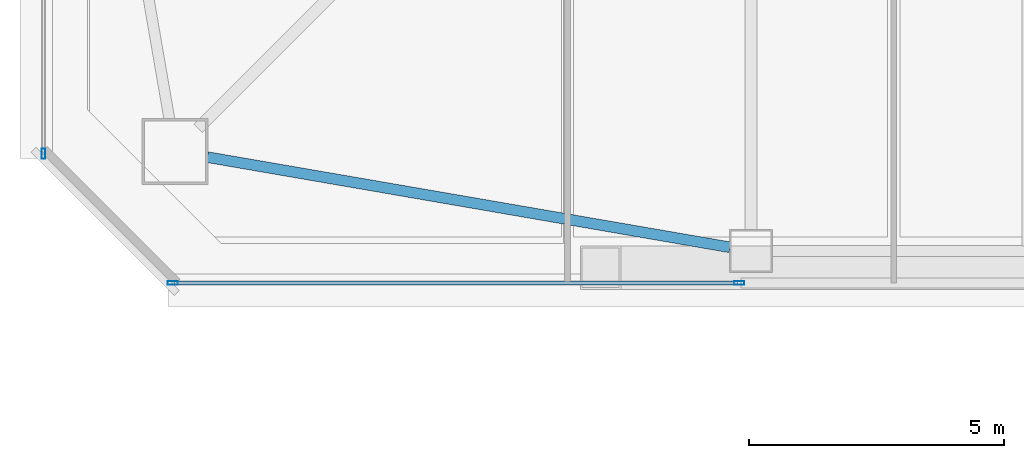
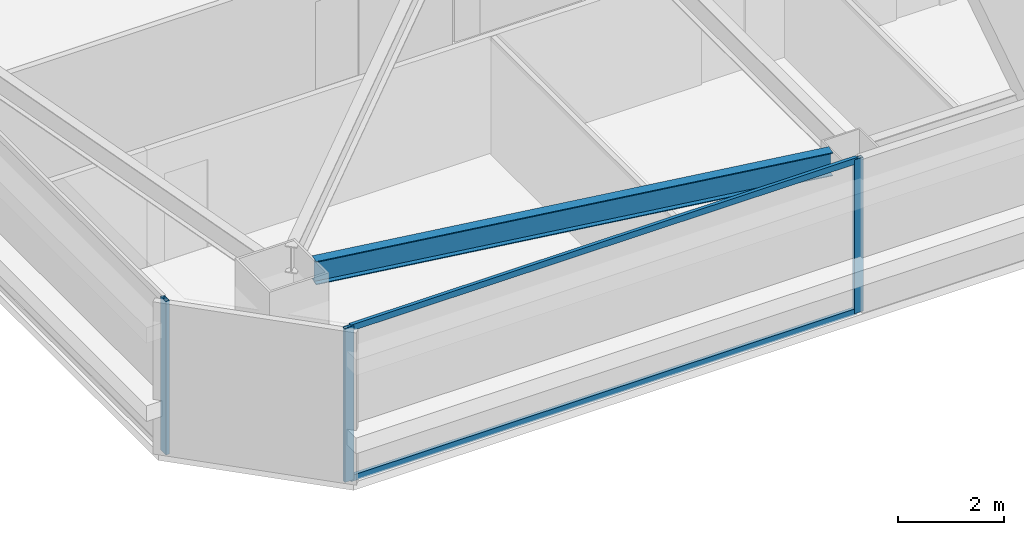
# One storey, part 3 of 50: 5 members, 1 beam, 2 elements without a shape of their own.
"""IFC4 building model written with IfcOpenShell, lengths in metres."""

from ifc_helpers import new_model, si_unit, direction, frame, origin, origin_2d, place, context, subcontext, project, spatial, hollow_rectangle, i_section, extrude, material, material_profile, profile_set, type_object, element, aggregate, save


model = new_model("IFC4")

# Units and contexts
model_context = context("Model", 3, precision=1e-05, world=origin(), true_north=direction((0.0, 1.0)))
body_context = subcontext(model_context, "Body", "Model", "MODEL_VIEW")
ifc_project = project(units=[si_unit("LENGTHUNIT", "METRE"), si_unit("AREAUNIT", "SQUARE_METRE"), si_unit("VOLUMEUNIT", "CUBIC_METRE"), si_unit("PLANEANGLEUNIT", "RADIAN"), si_unit("MASSUNIT", "GRAM", prefix="KILO")], contexts=[model_context])

# Site, building, storey
site_placement = place(None, origin())
site = spatial("IfcSite", under=ifc_project, at=site_placement, CompositionType="ELEMENT")
building_placement = place(site_placement, origin())
building = spatial("IfcBuilding", under=site, at=building_placement, Name="Tashvorn Skyway Center", CompositionType="ELEMENT")
storey_placement = place(building_placement, frame((0.0, 0.0, 114.39990234375)))
storey = spatial("IfcBuildingStorey", under=building, at=storey_placement, Name="L30", CompositionType="ELEMENT", Elevation=114.39990234375)

# Beam
ifc_material_1 = material(Name="Steel ASTM A992 Grade 50", Category="steel")
ifc_material_profile_1 = material_profile(ifc_material_1, i_section(OverallWidth=0.2109375, OverallDepth=0.5390625, WebThickness=0.01171875, FlangeThickness=0.018798828125, at=origin_2d()), Name="W21X73")
ifc_profile_set_1 = profile_set([ifc_material_profile_1], Name="Steel ASTM A992 Grade 50")
beam_type = type_object("IfcBeamType", Name="BM-SPANDREL-W21X73", PredefinedType="SPANDREL", material=ifc_profile_set_1)
beam_placement = place(storey_placement, frame((25.935546875, 15.1904296875, 3.1005859375), z_axis=(0.985432458462, -0.170067250846, 0.0), x_axis=(0.170067250846, 0.985432458462, 0.0)))
element("IfcBeam", 1, at=beam_placement, inside=storey, type_object=beam_type, Name="Tower 1 L30 Spandrel Beam 01", PredefinedType="SPANDREL", context=body_context, shape_type="SweptSolid", body=[
    extrude(i_section(OverallWidth=0.2109375, OverallDepth=0.5390625, WebThickness=0.01171875, FlangeThickness=0.018798828125, at=origin_2d()), origin(), (0.0, 0.0, 1.0), 10.402099609375),
])

# Curtain wall, members
ifc_material_2 = material(Name="Thermally broken bronze-anodized aluminium 6063-T6", Category="aluminium")
curtain_wall_type = type_object("IfcCurtainWallType", Name="CW-CW-Z3", PredefinedType="NOTDEFINED", material=ifc_material_2)
curtain_wall_1_placement = place(storey_placement, origin())
curtain_wall_1 = element("IfcCurtainWall", 2, at=curtain_wall_1_placement, inside=storey, type_object=curtain_wall_type, Name="Tower 1 L30 South Unitised Curtain Wall Glazing Group 2", PredefinedType="NOTDEFINED")
ifc_material_profile_2 = material_profile(ifc_material_2, hollow_rectangle(XDim=0.074951171875, YDim=0.199951171875, WallThickness=0.00439453125, at=origin_2d()), Name="ALU-MULL-75x200")
ifc_profile_set_2 = profile_set([ifc_material_profile_2], Name="Thermally broken bronze-anodized aluminium 6063-T6")
member_type_1 = type_object("IfcMemberType", Name="CWM-CW-Z3", PredefinedType="MULLION", material=ifc_profile_set_2)
member_1_placement = place(storey_placement, frame((36.369140625, 12.719970703125, 0.0), z_axis=(0.0, 0.0, 1.0), x_axis=(0.0, -1.0, 0.0)))
member_1 = element("IfcMember", 3, at=member_1_placement, type_object=member_type_1, Name="CW-Z3 mullion 1", PredefinedType="MULLION", context=body_context, shape_type="SweptSolid", body=[
    extrude(hollow_rectangle(XDim=0.074951171875, YDim=0.199951171875, WallThickness=0.00439453125, at=origin_2d()), origin(), (0.0, 0.0, 1.0), 3.550048828125),
])
member_2_placement = place(storey_placement, frame((25.257568359375, 12.719970703125, 0.0), z_axis=(0.0, 0.0, 1.0), x_axis=(0.0, -1.0, 0.0)))
member_2 = element("IfcMember", 4, at=member_2_placement, type_object=member_type_1, Name="CW-Z3 mullion 2", PredefinedType="MULLION", context=body_context, shape_type="SweptSolid", body=[
    extrude(hollow_rectangle(XDim=0.074951171875, YDim=0.199951171875, WallThickness=0.00439453125, at=origin_2d()), origin(), (0.0, 0.0, 1.0), 3.550048828125),
])

# Curtain wall, member
curtain_wall_2_placement = place(storey_placement, origin())
curtain_wall_2 = element("IfcCurtainWall", 5, at=curtain_wall_2_placement, inside=storey, type_object=curtain_wall_type, Name="Tower 1 L30 West Unitised Curtain Wall Glazing Group 1", PredefinedType="NOTDEFINED")
member_3_placement = place(storey_placement, frame((22.719970703125, 15.257568359375, 0.0), z_axis=(0.0, 0.0, 1.0), x_axis=(-1.0, 0.0, 0.0)))
member_3 = element("IfcMember", 6, at=member_3_placement, type_object=member_type_1, Name="CW-Z3 mullion 1", PredefinedType="MULLION", context=body_context, shape_type="SweptSolid", body=[
    extrude(hollow_rectangle(XDim=0.074951171875, YDim=0.199951171875, WallThickness=0.00439453125, at=origin_2d()), origin(), (0.0, 0.0, 1.0), 3.550048828125),
])
aggregate(curtain_wall_2, [member_3])

# Member
ifc_material_profile_3 = material_profile(ifc_material_2, hollow_rectangle(XDim=0.074951171875, YDim=0.139892578125, WallThickness=0.004150390625, at=origin_2d()), Name="ALU-TRAN-75x140")
ifc_profile_set_3 = profile_set([ifc_material_profile_3], Name="Thermally broken bronze-anodized aluminium 6063-T6")
member_type_2 = type_object("IfcMemberType", Name="CWT-CW-Z3", PredefinedType="USERDEFINED", material=ifc_profile_set_3)
member_4_placement = place(storey_placement, frame((36.331787109375, 12.719970703125, 0.03759765625), z_axis=(-1.0, 0.0, 0.0), x_axis=(0.0, -1.0, 0.0)))
member_4 = element("IfcMember", 7, at=member_4_placement, type_object=member_type_2, Name="CW-Z3 transom 1.1", ObjectType="TRANSOM", PredefinedType="USERDEFINED", context=body_context, shape_type="SweptSolid", body=[
    extrude(hollow_rectangle(XDim=0.074951171875, YDim=0.139892578125, WallThickness=0.004150390625, at=origin_2d()), origin(), (0.0, 0.0, 1.0), 11.036865234375),
])

member_5_placement = place(storey_placement, frame((36.331787109375, 12.719970703125, 3.5126953125), z_axis=(-1.0, 0.0, 0.0), x_axis=(0.0, -1.0, 0.0)))
member_5 = element("IfcMember", 8, at=member_5_placement, type_object=member_type_2, Name="CW-Z3 transom 1.2", ObjectType="TRANSOM", PredefinedType="USERDEFINED", context=body_context, shape_type="SweptSolid", body=[
    extrude(hollow_rectangle(XDim=0.074951171875, YDim=0.139892578125, WallThickness=0.004150390625, at=origin_2d()), origin(), (0.0, 0.0, 1.0), 11.036865234375),
])

aggregate(curtain_wall_1, [member_1, member_2, member_4, member_5])

save(model, "model.ifc")
